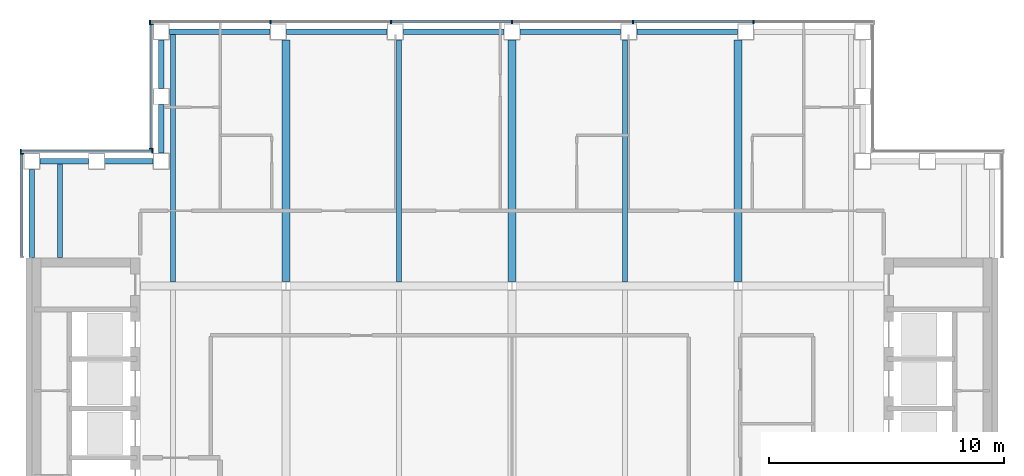
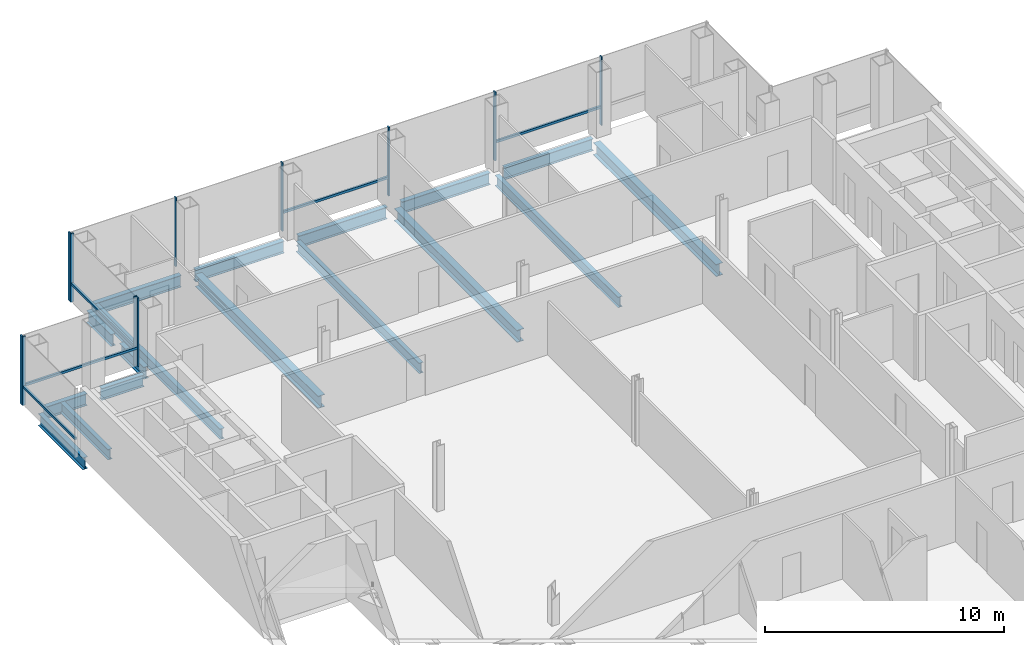
# One storey, part 7 of 15: 17 beams, 16 members, 4 elements without a shape of their own.
"""IFC4 building model written with IfcOpenShell, lengths in metres."""

from ifc_helpers import new_model, si_unit, direction, frame, origin, origin_2d, place, context, subcontext, project, spatial, rectangle, i_section, extrude, material, material_profile, profile_set, type_object, element, aggregate, save


model = new_model("IFC4")

# Units and contexts
model_context = context("Model", 3, precision=1e-05, world=origin(), true_north=direction((0.0, 1.0)))
body_context = subcontext(model_context, "Body", "Model", "MODEL_VIEW")
ifc_project = project(units=[si_unit("LENGTHUNIT", "METRE"), si_unit("AREAUNIT", "SQUARE_METRE"), si_unit("VOLUMEUNIT", "CUBIC_METRE"), si_unit("PLANEANGLEUNIT", "RADIAN"), si_unit("MASSUNIT", "GRAM", prefix="KILO")], contexts=[model_context])

# Site, building, storey
site_placement = place(None, origin())
site = spatial("IfcSite", under=ifc_project, at=site_placement, CompositionType="ELEMENT")
building_placement = place(site_placement, origin())
building = spatial("IfcBuilding", under=site, at=building_placement, Name="Cobrizo Arcos Hotel Tower", CompositionType="ELEMENT")
storey_placement = place(building_placement, frame((0.0, 0.0, 194.5)))
storey = spatial("IfcBuildingStorey", under=building, at=storey_placement, Name="L50", CompositionType="ELEMENT", Elevation=194.5)

# Curtain wall, members
ifc_material_1 = material(Name="Aluminium 6063-T6 anodised bronze", Category="aluminium")
curtain_wall_type = type_object("IfcCurtainWallType", Name="CW-A guest facade", PredefinedType="NOTDEFINED", material=ifc_material_1)
curtain_wall_1_placement = place(storey_placement, origin())
curtain_wall_1 = element("IfcCurtainWall", 1, at=curtain_wall_1_placement, inside=storey, type_object=curtain_wall_type, Name="CW-A L50 N face", PredefinedType="NOTDEFINED")
ifc_material_profile_1 = material_profile(ifc_material_1, rectangle(XDim=0.14990234375, YDim=0.06005859375, at=origin_2d()), Name="CW-A mullion 150x60")
ifc_profile_set_1 = profile_set([ifc_material_profile_1], Name="Aluminium 6063-T6 anodised bronze")
member_type_1 = type_object("IfcMemberType", Name="CW-A mullion 150x60", PredefinedType="MULLION", material=ifc_profile_set_1)
member_1_placement = place(storey_placement, frame((10.2666015625, 20.824951171875, 0.0), z_axis=(0.0, 0.0, 1.0), x_axis=(0.0, 1.0, 0.0)))
member_1 = element("IfcMember", 2, at=member_1_placement, type_object=member_type_1, Name="CW-A mullion 2", PredefinedType="MULLION", context=body_context, shape_type="SweptSolid", body=[
    extrude(rectangle(XDim=0.14990234375, YDim=0.06005859375, at=origin_2d()), origin(), (0.0, 0.0, 1.0), 3.5),
])
member_2_placement = place(storey_placement, frame((5.13330078125, 20.824951171875, 0.0), z_axis=(0.0, 0.0, 1.0), x_axis=(0.0, 1.0, 0.0)))
member_2 = element("IfcMember", 3, at=member_2_placement, type_object=member_type_1, Name="CW-A mullion 3", PredefinedType="MULLION", context=body_context, shape_type="SweptSolid", body=[
    extrude(rectangle(XDim=0.14990234375, YDim=0.06005859375, at=origin_2d()), origin(), (0.0, 0.0, 1.0), 3.5),
])
member_3_placement = place(storey_placement, frame((0.0, 20.824951171875, 0.0), z_axis=(0.0, 0.0, 1.0), x_axis=(0.0, 1.0, 0.0)))
member_3 = element("IfcMember", 4, at=member_3_placement, type_object=member_type_1, Name="CW-A mullion 4", PredefinedType="MULLION", context=body_context, shape_type="SweptSolid", body=[
    extrude(rectangle(XDim=0.14990234375, YDim=0.06005859375, at=origin_2d()), origin(), (0.0, 0.0, 1.0), 3.5),
])
member_4_placement = place(storey_placement, frame((-5.13330078125, 20.824951171875, 0.0), z_axis=(0.0, 0.0, 1.0), x_axis=(0.0, 1.0, 0.0)))
member_4 = element("IfcMember", 5, at=member_4_placement, type_object=member_type_1, Name="CW-A mullion 5", PredefinedType="MULLION", context=body_context, shape_type="SweptSolid", body=[
    extrude(rectangle(XDim=0.14990234375, YDim=0.06005859375, at=origin_2d()), origin(), (0.0, 0.0, 1.0), 3.5),
])
member_5_placement = place(storey_placement, frame((-10.2666015625, 20.824951171875, 0.0), z_axis=(0.0, 0.0, 1.0), x_axis=(0.0, 1.0, 0.0)))
member_5 = element("IfcMember", 6, at=member_5_placement, type_object=member_type_1, Name="CW-A mullion 6", PredefinedType="MULLION", context=body_context, shape_type="SweptSolid", body=[
    extrude(rectangle(XDim=0.14990234375, YDim=0.06005859375, at=origin_2d()), origin(), (0.0, 0.0, 1.0), 3.5),
])
member_6_placement = place(storey_placement, frame((-15.3701171875, 20.824951171875, 0.0), z_axis=(0.0, 0.0, 1.0), x_axis=(0.0, 1.0, 0.0)))
member_6 = element("IfcMember", 7, at=member_6_placement, type_object=member_type_1, Name="CW-A mullion 7", PredefinedType="MULLION", context=body_context, shape_type="SweptSolid", body=[
    extrude(rectangle(XDim=0.14990234375, YDim=0.06005859375, at=origin_2d()), origin(), (0.0, 0.0, 1.0), 3.5),
])

curtain_wall_2_placement = place(storey_placement, origin())
curtain_wall_2 = element("IfcCurtainWall", 8, at=curtain_wall_2_placement, inside=storey, type_object=curtain_wall_type, Name="CW-A L50 W face", PredefinedType="NOTDEFINED")
member_7_placement = place(storey_placement, frame((-15.324951171875, 20.719970703125, 0.0), z_axis=(0.0, 0.0, 1.0), x_axis=(-1.0, 0.0, 0.0)))
member_7 = element("IfcMember", 9, at=member_7_placement, type_object=member_type_1, Name="CW-A mullion 1", PredefinedType="MULLION", context=body_context, shape_type="SweptSolid", body=[
    extrude(rectangle(XDim=0.14990234375, YDim=0.06005859375, at=origin_2d()), origin(), (0.0, 0.0, 1.0), 3.5),
])
member_8_placement = place(storey_placement, frame((-15.324951171875, 15.429931640625, 0.0), z_axis=(0.0, 0.0, 1.0), x_axis=(-1.0, 0.0, 0.0)))
member_8 = element("IfcMember", 10, at=member_8_placement, type_object=member_type_1, Name="CW-A mullion 2", PredefinedType="MULLION", context=body_context, shape_type="SweptSolid", body=[
    extrude(rectangle(XDim=0.14990234375, YDim=0.06005859375, at=origin_2d()), origin(), (0.0, 0.0, 1.0), 3.5),
])

curtain_wall_3_placement = place(storey_placement, origin())
curtain_wall_3 = element("IfcCurtainWall", 11, at=curtain_wall_3_placement, inside=storey, type_object=curtain_wall_type, Name="CW-A L50 N face", PredefinedType="NOTDEFINED")
member_9_placement = place(storey_placement, frame((-15.280029296875, 15.324951171875, 0.0), z_axis=(0.0, 0.0, 1.0), x_axis=(0.0, 1.0, 0.0)))
member_9 = element("IfcMember", 12, at=member_9_placement, type_object=member_type_1, Name="CW-A mullion 1", PredefinedType="MULLION", context=body_context, shape_type="SweptSolid", body=[
    extrude(rectangle(XDim=0.14990234375, YDim=0.06005859375, at=origin_2d()), origin(), (0.0, 0.0, 1.0), 3.5),
])
member_10_placement = place(storey_placement, frame((-20.8701171875, 15.324951171875, 0.0), z_axis=(0.0, 0.0, 1.0), x_axis=(0.0, 1.0, 0.0)))
member_10 = element("IfcMember", 13, at=member_10_placement, type_object=member_type_1, Name="CW-A mullion 2", PredefinedType="MULLION", context=body_context, shape_type="SweptSolid", body=[
    extrude(rectangle(XDim=0.14990234375, YDim=0.06005859375, at=origin_2d()), origin(), (0.0, 0.0, 1.0), 3.5),
])

# Curtain wall, member
curtain_wall_4_placement = place(storey_placement, origin())
curtain_wall_4 = element("IfcCurtainWall", 14, at=curtain_wall_4_placement, inside=storey, type_object=curtain_wall_type, Name="CW-A L50 W face", PredefinedType="NOTDEFINED")
member_11_placement = place(storey_placement, frame((-20.824951171875, 15.219970703125, 0.0), z_axis=(0.0, 0.0, 1.0), x_axis=(-1.0, 0.0, 0.0)))
member_11 = element("IfcMember", 15, at=member_11_placement, type_object=member_type_1, Name="CW-A mullion 1", PredefinedType="MULLION", context=body_context, shape_type="SweptSolid", body=[
    extrude(rectangle(XDim=0.14990234375, YDim=0.06005859375, at=origin_2d()), origin(), (0.0, 0.0, 1.0), 3.5),
])

# Member
ifc_material_profile_2 = material_profile(ifc_material_1, rectangle(XDim=0.10009765625, YDim=0.1201171875, at=origin_2d()), Name="CW-A transom 120x100")
ifc_profile_set_2 = profile_set([ifc_material_profile_2], Name="Aluminium 6063-T6 anodised bronze")
member_type_2 = type_object("IfcMemberType", Name="CW-A transom 120x100", PredefinedType="USERDEFINED", material=ifc_profile_set_2)
member_12_placement = place(storey_placement, frame((10.236572265625, 20.824951171875, 0.929931640625), z_axis=(-1.0, 0.0, 0.0), x_axis=(0.0, -1.0, 0.0)))
member_12 = element("IfcMember", 16, at=member_12_placement, type_object=member_type_2, Name="CW-A transom 1733", ObjectType="TRANSOM", PredefinedType="USERDEFINED", context=body_context, shape_type="SweptSolid", body=[
    extrude(rectangle(XDim=0.10009765625, YDim=0.1201171875, at=origin_2d()), origin(), (0.0, 0.0, 1.0), 5.0732421875),
])

member_13_placement = place(storey_placement, frame((-0.030029296875, 20.824951171875, 0.929931640625), z_axis=(-1.0, 0.0, 0.0), x_axis=(0.0, -1.0, 0.0)))
member_13 = element("IfcMember", 17, at=member_13_placement, type_object=member_type_2, Name="CW-A transom 1735", ObjectType="TRANSOM", PredefinedType="USERDEFINED", context=body_context, shape_type="SweptSolid", body=[
    extrude(rectangle(XDim=0.10009765625, YDim=0.1201171875, at=origin_2d()), origin(), (0.0, 0.0, 1.0), 5.0732421875),
])

aggregate(curtain_wall_1, [member_1, member_2, member_3, member_4, member_5, member_6, member_12, member_13])

member_14_placement = place(storey_placement, frame((-15.324951171875, 20.68994140625, 0.929931640625), z_axis=(0.0, -1.0, 0.0), x_axis=(1.0, 0.0, 0.0)))
member_14 = element("IfcMember", 18, at=member_14_placement, type_object=member_type_2, Name="CW-A transom 1738", ObjectType="TRANSOM", PredefinedType="USERDEFINED", context=body_context, shape_type="SweptSolid", body=[
    extrude(rectangle(XDim=0.10009765625, YDim=0.1201171875, at=origin_2d()), origin(), (0.0, 0.0, 1.0), 5.22998046875),
])

aggregate(curtain_wall_2, [member_7, member_8, member_14])

member_15_placement = place(storey_placement, frame((-15.31005859375, 15.324951171875, 0.929931640625), z_axis=(-1.0, 0.0, 0.0), x_axis=(0.0, -1.0, 0.0)))
member_15 = element("IfcMember", 19, at=member_15_placement, type_object=member_type_2, Name="CW-A transom 1739", ObjectType="TRANSOM", PredefinedType="USERDEFINED", context=body_context, shape_type="SweptSolid", body=[
    extrude(rectangle(XDim=0.10009765625, YDim=0.1201171875, at=origin_2d()), origin(), (0.0, 0.0, 1.0), 5.530029296875),
])

aggregate(curtain_wall_3, [member_9, member_10, member_15])

member_16_placement = place(storey_placement, frame((-20.824951171875, 15.18994140625, 0.929931640625), z_axis=(0.0, -1.0, 0.0), x_axis=(1.0, 0.0, 0.0)))
member_16 = element("IfcMember", 20, at=member_16_placement, type_object=member_type_2, Name="CW-A transom 1740", ObjectType="TRANSOM", PredefinedType="USERDEFINED", context=body_context, shape_type="SweptSolid", body=[
    extrude(rectangle(XDim=0.10009765625, YDim=0.1201171875, at=origin_2d()), origin(), (0.0, 0.0, 1.0), 4.329833984375),
])

aggregate(curtain_wall_4, [member_11, member_16])

# Beams
ifc_material_2 = material(Name="Steel ASTM A992 Grade 50", Category="steel")
ifc_material_profile_3 = material_profile(ifc_material_2, i_section(OverallWidth=0.209228515625, OverallDepth=0.533447265625, WebThickness=0.01025390625, FlangeThickness=0.015625, at=origin_2d()), Name="W21X62")
ifc_profile_set_3 = profile_set([ifc_material_profile_3], Name="Steel ASTM A992 Grade 50")
beam_type_1 = type_object("IfcBeamType", Name="W21X62 joist", PredefinedType="JOIST", material=ifc_profile_set_3)
beam_1_placement = place(storey_placement, frame((-19.199951171875, 10.81005859375, -0.416748046875), z_axis=(0.0, 1.0, 0.0), x_axis=(-1.0, 0.0, 0.0)))
element("IfcBeam", 21, at=beam_1_placement, inside=storey, type_object=beam_type_1, Name="Floor joist J1, L50, no. 002", PredefinedType="JOIST", context=body_context, shape_type="SweptSolid", body=[
    extrude(i_section(OverallWidth=0.209228515625, OverallDepth=0.533447265625, WebThickness=0.01025390625, FlangeThickness=0.015625, at=origin_2d()), origin(), (0.0, 0.0, 1.0), 4.0),
])
beam_2_placement = place(storey_placement, frame((-14.39990234375, 9.763916015625, -0.416748046875), z_axis=(0.0, 1.0, 0.0), x_axis=(-1.0, 0.0, 0.0)))
element("IfcBeam", 22, at=beam_2_placement, inside=storey, type_object=beam_type_1, Name="Floor joist J1, L50, no. 006", PredefinedType="JOIST", context=body_context, shape_type="SweptSolid", body=[
    extrude(i_section(OverallWidth=0.209228515625, OverallDepth=0.533447265625, WebThickness=0.01025390625, FlangeThickness=0.015625, at=origin_2d()), origin(), (0.0, 0.0, 1.0), 10.546142578125),
])
for number, where, z_axis, x_axis, name in (
    (23, (-4.800048828125, 9.763916015625, -0.416748046875), (0.0, 1.0, 0.0), (-1.0, 0.0, 0.0), "Floor joist J1, L50, no. 010"),
    (24, (4.800048828125, 9.763916015625, -0.416748046875), (0.0, 1.0, 0.0), (-1.0, 0.0, 0.0), "Floor joist J1, L50, no. 014"),
):
    element("IfcBeam", number, at=place(storey_placement, frame(where, z_axis=z_axis, x_axis=x_axis)), inside=storey, type_object=beam_type_1, Name=name, PredefinedType="JOIST", context=body_context, shape_type="SweptSolid", body=[
        extrude(i_section(OverallWidth=0.209228515625, OverallDepth=0.533447265625, WebThickness=0.01025390625, FlangeThickness=0.015625, at=origin_2d()), origin(), (0.0, 0.0, 1.0), 10.2861328125),
    ])
ifc_material_profile_4 = material_profile(ifc_material_2, i_section(OverallWidth=0.32763671875, OverallDepth=0.622314453125, WebThickness=0.015380859375, FlangeThickness=0.0244140625, at=origin_2d()), Name="W24X131")
ifc_profile_set_4 = profile_set([ifc_material_profile_4], Name="Steel ASTM A992 Grade 50")
beam_type_2 = type_object("IfcBeamType", Name="W24X131 girder", PredefinedType="BEAM", material=ifc_profile_set_4)
for number, where, z_axis, x_axis, name in (
    (25, (-9.60009765625, 9.78662109375, -0.461181640625), (0.0, 1.0, 0.0), (-1.0, 0.0, 0.0), "Floor girder G1, L50, no. 016"),
    (26, (0.0, 9.78662109375, -0.461181640625), (0.0, 1.0, 0.0), (-1.0, 0.0, 0.0), "Floor girder G1, L50, no. 020"),
    (27, (9.60009765625, 9.78662109375, -0.461181640625), (0.0, 1.0, 0.0), (-1.0, 0.0, 0.0), "Floor girder G1, L50, no. 024"),
):
    element("IfcBeam", number, at=place(storey_placement, frame(where, z_axis=z_axis, x_axis=x_axis)), inside=storey, type_object=beam_type_2, Name=name, PredefinedType="BEAM", context=body_context, shape_type="SweptSolid", body=[
        extrude(i_section(OverallWidth=0.32763671875, OverallDepth=0.622314453125, WebThickness=0.015380859375, FlangeThickness=0.0244140625, at=origin_2d()), origin(), (0.0, 0.0, 1.0), 10.263427734375),
    ])
ifc_material_profile_5 = material_profile(ifc_material_2, i_section(OverallWidth=0.228271484375, OverallDepth=0.607177734375, WebThickness=0.01123046875, FlangeThickness=0.017333984375, at=origin_2d()), Name="W24X76")
ifc_profile_set_5 = profile_set([ifc_material_profile_5], Name="Steel ASTM A992 Grade 50")
beam_type_3 = type_object("IfcBeamType", Name="W24X76 spandrel", PredefinedType="SPANDREL", material=ifc_profile_set_5)
beam_3_placement = place(storey_placement, frame((9.5830078125, 20.39990234375, -0.45361328125), z_axis=(-1.0, 0.0, 0.0), x_axis=(0.0, -1.0, 0.0)))
element("IfcBeam", 28, at=beam_3_placement, inside=storey, type_object=beam_type_3, Name="Spandrel beam W24X76, L50, no. 018", PredefinedType="SPANDREL", context=body_context, shape_type="SweptSolid", body=[
    extrude(i_section(OverallWidth=0.228271484375, OverallDepth=0.607177734375, WebThickness=0.01123046875, FlangeThickness=0.017333984375, at=origin_2d()), origin(), (0.0, 0.0, 1.0), 4.26611328125),
])
for number, where, z_axis, x_axis, name in (
    (29, (4.616943359375, 20.39990234375, -0.45361328125), (-1.0, 0.0, 0.0), (0.0, -1.0, 0.0), "Spandrel beam W24X76, L50, no. 019"),
    (30, (-0.35009765625, 20.39990234375, -0.45361328125), (-1.0, 0.0, 0.0), (0.0, -1.0, 0.0), "Spandrel beam W24X76, L50, no. 020"),
):
    element("IfcBeam", number, at=place(storey_placement, frame(where, z_axis=z_axis, x_axis=x_axis)), inside=storey, type_object=beam_type_3, Name=name, PredefinedType="SPANDREL", context=body_context, shape_type="SweptSolid", body=[
        extrude(i_section(OverallWidth=0.228271484375, OverallDepth=0.607177734375, WebThickness=0.01123046875, FlangeThickness=0.017333984375, at=origin_2d()), origin(), (0.0, 0.0, 1.0), 4.266845703125),
    ])
beam_4_placement = place(storey_placement, frame((-5.31689453125, 20.39990234375, -0.45361328125), z_axis=(-1.0, 0.0, 0.0), x_axis=(0.0, -1.0, 0.0)))
element("IfcBeam", 31, at=beam_4_placement, inside=storey, type_object=beam_type_3, Name="Spandrel beam W24X76, L50, no. 021", PredefinedType="SPANDREL", context=body_context, shape_type="SweptSolid", body=[
    extrude(i_section(OverallWidth=0.228271484375, OverallDepth=0.607177734375, WebThickness=0.01123046875, FlangeThickness=0.017333984375, at=origin_2d()), origin(), (0.0, 0.0, 1.0), 4.26611328125),
])
beam_5_placement = place(storey_placement, frame((-10.282958984375, 20.39990234375, -0.45361328125), z_axis=(-1.0, 0.0, 0.0), x_axis=(0.0, -1.0, 0.0)))
element("IfcBeam", 32, at=beam_5_placement, inside=storey, type_object=beam_type_3, Name="Spandrel beam W24X76, L50, no. 022", PredefinedType="SPANDREL", context=body_context, shape_type="SweptSolid", body=[
    extrude(i_section(OverallWidth=0.228271484375, OverallDepth=0.607177734375, WebThickness=0.01123046875, FlangeThickness=0.017333984375, at=origin_2d()), origin(), (0.0, 0.0, 1.0), 4.26708984375),
])
for number, where, z_axis, x_axis, name in (
    (33, (-14.89990234375, 20.050048828125, -0.45361328125), (0.0, -1.0, 0.0), (1.0, 0.0, 0.0), "Spandrel beam W24X76, L50, no. 023"),
    (34, (-14.89990234375, 17.300048828125, -0.45361328125), (0.0, -1.0, 0.0), (1.0, 0.0, 0.0), "Spandrel beam W24X76, L50, no. 024"),
    (35, (-15.25, 14.89990234375, -0.45361328125), (-1.0, 0.0, 0.0), (0.0, -1.0, 0.0), "Spandrel beam W24X76, L50, no. 025"),
    (36, (-18.0, 14.89990234375, -0.45361328125), (-1.0, 0.0, 0.0), (0.0, -1.0, 0.0), "Spandrel beam W24X76, L50, no. 026"),
):
    element("IfcBeam", number, at=place(storey_placement, frame(where, z_axis=z_axis, x_axis=x_axis)), inside=storey, type_object=beam_type_3, Name=name, PredefinedType="SPANDREL", context=body_context, shape_type="SweptSolid", body=[
        extrude(i_section(OverallWidth=0.228271484375, OverallDepth=0.607177734375, WebThickness=0.01123046875, FlangeThickness=0.017333984375, at=origin_2d()), origin(), (0.0, 0.0, 1.0), 2.050048828125),
    ])
beam_6_placement = place(storey_placement, frame((-20.39990234375, 14.550048828125, -0.45361328125), z_axis=(0.0, -1.0, 0.0), x_axis=(1.0, 0.0, 0.0)))
element("IfcBeam", 37, at=beam_6_placement, inside=storey, type_object=beam_type_3, Name="Spandrel beam W24X76, L50, no. 027", PredefinedType="SPANDREL", context=body_context, shape_type="SweptSolid", body=[
    extrude(i_section(OverallWidth=0.228271484375, OverallDepth=0.607177734375, WebThickness=0.01123046875, FlangeThickness=0.017333984375, at=origin_2d()), origin(), (0.0, 0.0, 1.0), 3.739990234375),
])

save(model, "model.ifc")
